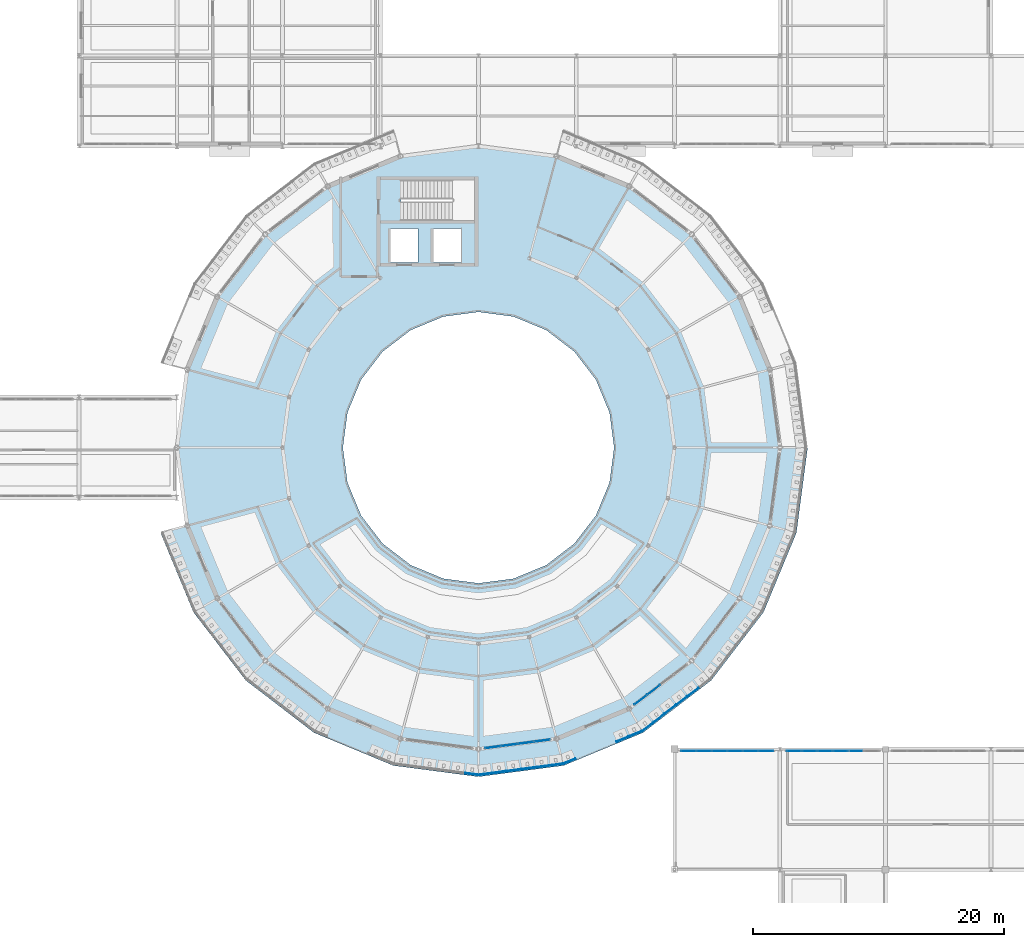
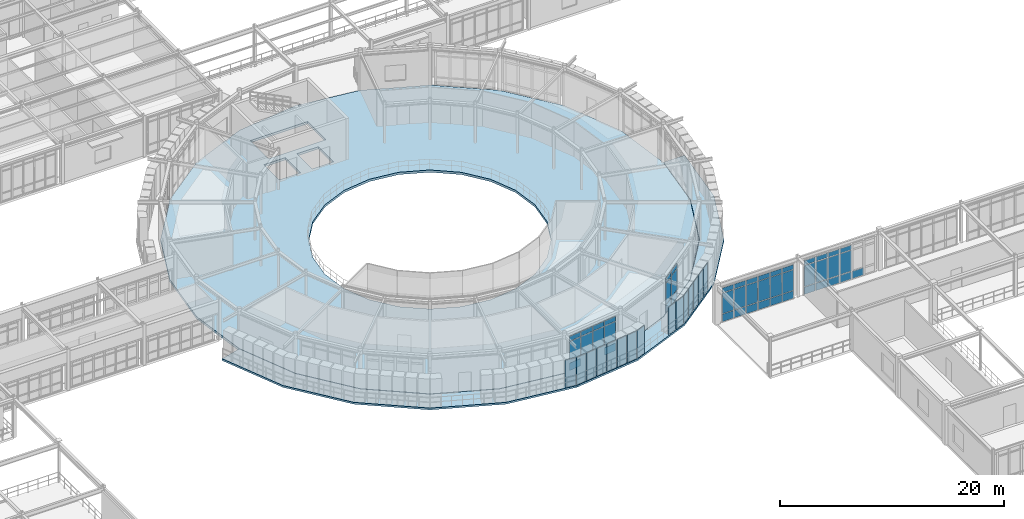
# One storey, part 69 of 106: 64 plates, 3 slabs, 4 elements without a shape of their own.
"""IFC4 building model written with IfcOpenShell, lengths in metres."""

import ifcopenshell
import ifcopenshell.guid

model = None  # the IFC model being written
_history = None  # IfcOwnerHistory: only IFC2X3 demands one
_inside = {}  # id of a spatial element -> (the spatial element, [elements in it])
_under = {}  # id of a project, library or spatial element -> (it, [spatial elements below it])
_declared = {}  # id of a project -> (the project, [libraries it declares])
_typed = {}  # id of a type object -> (the type object, [elements of that type])
_made_of = {}  # id of a material, layer set ... -> (it, [elements and type objects made of it])


def new_model(schema):
    """Start an empty IFC model of exactly this schema.

    Asked for "IFC4X3", IfcOpenShell would pick the latest addendum, in which some entities
    have other attributes; the version numbers below select the first issue.
    IFC2X3 requires an IfcOwnerHistory on every rooted entity: one is made here for all.
    """
    global model, _history
    if schema == "IFC4X3":
        model = ifcopenshell.file(schema_version=(4, 3, 0, 0))
    else:
        model = ifcopenshell.file(schema=schema)
    _inside.clear()
    _under.clear()
    _declared.clear()
    _typed.clear()
    _made_of.clear()
    _history = None
    if model.schema == "IFC2X3":
        org = make("IfcOrganization", Name="unknown")
        user = make(
            "IfcPersonAndOrganization",
            ThePerson=make("IfcPerson", FamilyName="unknown"),
            TheOrganization=org,
        )
        app = make(
            "IfcApplication",
            ApplicationDeveloper=org,
            Version="unknown",
            ApplicationFullName="unknown",
            ApplicationIdentifier="unknown",
        )
        _history = make(
            "IfcOwnerHistory",
            OwningUser=user,
            OwningApplication=app,
            ChangeAction="ADDED",
            CreationDate=0,
        )
    return model


def make(cls, **values):
    """One entity of the class cls with the attributes given. An attribute that is None is left unset."""
    return model.create_entity(
        cls, **{name: value for name, value in values.items() if value is not None}
    )


def rooted(cls, **values):
    """An entity with a GlobalId (a new one), such as an element, a storey or a relation."""
    return make(cls, GlobalId=ifcopenshell.guid.new(), OwnerHistory=_history, **values)


def si_unit(unit_type, name, prefix=None):
    """IfcSIUnit, for example si_unit("LENGTHUNIT", "METRE", prefix="MILLI")."""
    return make("IfcSIUnit", UnitType=unit_type, Prefix=prefix, Name=name)


def derived_unit(unit_type, elements):
    """IfcDerivedUnit: a product of units, each with its exponent."""
    return make(
        "IfcDerivedUnit",
        Elements=[
            make("IfcDerivedUnitElement", Unit=unit, Exponent=power)
            for unit, power in elements
        ],
        UnitType=unit_type,
    )


def assignment(units):
    """IfcUnitAssignment: the units of a project."""
    return None if units is None else make("IfcUnitAssignment", Units=units)


def point(xyz):
    """IfcCartesianPoint."""
    return None if xyz is None else make("IfcCartesianPoint", Coordinates=xyz)


def direction(xyz):
    """IfcDirection."""
    return None if xyz is None else make("IfcDirection", DirectionRatios=xyz)


def frame(location, z_axis=None, x_axis=None):
    """IfcAxis2Placement3D, a coordinate frame: its origin and axes. An axis left out is left unset."""
    return make(
        "IfcAxis2Placement3D",
        Location=point(location),
        Axis=direction(z_axis),
        RefDirection=direction(x_axis),
    )


def frame_2d(location, x_axis=None):
    """IfcAxis2Placement2D, a coordinate frame in the plane: its origin and x axis."""
    return make(
        "IfcAxis2Placement2D", Location=point(location), RefDirection=direction(x_axis)
    )


def origin():
    """The frame at (0, 0, 0) with its axes left unset."""
    return frame((0.0, 0.0, 0.0))


def origin_2d():
    """The frame at (0, 0) in the plane with its x axis left unset."""
    return frame_2d((0.0, 0.0))


def place(relative_to, where):
    """IfcLocalPlacement: puts the frame where relative to a parent placement (None: the world)."""
    return make(
        "IfcLocalPlacement", PlacementRelTo=relative_to, RelativePlacement=where
    )


def context(
    kind, dimensions, precision=None, world=None, true_north=None, identifier=None
):
    """IfcGeometricRepresentationContext, for example the 3D "Model" context."""
    return make(
        "IfcGeometricRepresentationContext",
        ContextIdentifier=identifier,
        ContextType=kind,
        CoordinateSpaceDimension=dimensions,
        Precision=precision,
        WorldCoordinateSystem=world,
        TrueNorth=true_north,
    )


def subcontext(parent, identifier, kind, view, scale=None):
    """IfcGeometricRepresentationSubContext, for example "Body" below "Model"."""
    return make(
        "IfcGeometricRepresentationSubContext",
        ContextIdentifier=identifier,
        ContextType=kind,
        ParentContext=parent,
        TargetScale=scale,
        TargetView=view,
    )


def project(units=None, contexts=None):
    """IfcProject with its units and contexts."""
    return rooted(
        "IfcProject",
        Name="project",
        RepresentationContexts=contexts,
        UnitsInContext=assignment(units),
    )


def spatial(cls, under=None, at=None, **own):
    """A site, building, storey or space (cls), placed at a placement, below another one or the project."""
    s = rooted(cls, ObjectPlacement=at, **own)
    if under is not None:
        _under.setdefault(under.id(), (under, []))[1].append(s)
    return s


def polyline(points):
    """IfcPolyline through the points."""
    return make("IfcPolyline", Points=[point(p) for p in points])


def profile(cls, at=None, kind="AREA", **sizes):
    """A parametric profile (cls). Its sizes go by their IFC names, for example OverallWidth=200.0."""
    return make(cls, ProfileType=kind, Position=at, **sizes)


def rectangle(**sizes):
    """IfcRectangleProfileDef."""
    return profile("IfcRectangleProfileDef", **sizes)


def outline(outer, holes=None, kind="AREA"):
    """IfcArbitraryClosedProfileDef: a profile drawn as a closed curve; with holes, ...WithVoids."""
    if holes is None:
        return make("IfcArbitraryClosedProfileDef", ProfileType=kind, OuterCurve=outer)
    return make(
        "IfcArbitraryProfileDefWithVoids",
        ProfileType=kind,
        OuterCurve=outer,
        InnerCurves=holes,
    )


def extrude(swept, where, along, depth):
    """IfcExtrudedAreaSolid: the profile swept, set in the frame where, extruded along a direction by depth."""
    return make(
        "IfcExtrudedAreaSolid",
        SweptArea=swept,
        Position=where,
        ExtrudedDirection=direction(along),
        Depth=depth,
    )


def shape(context_of_items, identifier, shape_type, items):
    """IfcShapeRepresentation: the items that make up one representation, for example the "Body"."""
    return make(
        "IfcShapeRepresentation",
        ContextOfItems=context_of_items,
        RepresentationIdentifier=identifier,
        RepresentationType=shape_type,
        Items=items,
    )


def material(Name=None, Category=None):
    """IfcMaterial."""
    return make("IfcMaterial", Name=Name, Category=Category)


def layer(
    of_material, thickness, ventilated=None, Name=None, Category=None, Priority=None
):
    """IfcMaterialLayer: one layer of a wall or slab, of a material (None: an air gap)."""
    return make(
        "IfcMaterialLayer",
        Material=of_material,
        LayerThickness=thickness,
        IsVentilated=ventilated,
        Name=Name,
        Category=Category,
        Priority=Priority,
    )


def layer_set(layers, Name=None):
    """IfcMaterialLayerSet."""
    return make("IfcMaterialLayerSet", MaterialLayers=layers, LayerSetName=Name)


def made_of(thing, what):
    """Note that an element or type object is made of a material, layer set ...; save() writes the relation."""
    if what is not None:
        _made_of.setdefault(what.id(), (what, []))[1].append(thing)
    return thing


def type_object(cls, material=None, **own):
    """A type object (cls), such as IfcWallType, which elements share."""
    return made_of(rooted(cls, **own), material)


def element(
    cls,
    number,
    at=None,
    inside=None,
    cuts=None,
    type_object=None,
    material=None,
    context=None,
    identifier="Body",
    shape_type=None,
    held_by="IfcProductDefinitionShape",
    body=None,
    shapes=None,
    **own,
):
    """One element of the class cls, such as IfcWall. Its Tag is "e" and its number.

    at: its placement. inside: the storey or other place that contains it. cuts: it is an
    opening in that element (IfcRelVoidsElement). A single representation is given by context,
    identifier, shape_type and body (its items); several are given by shapes. held_by: the class
    of the entity that holds the representations. save() writes the other relations.
    """
    e = rooted(cls, Tag="e%d" % number, ObjectPlacement=at, **own)
    if body is not None:
        shapes = [shape(context, identifier, shape_type, body)]
    if shapes is not None:
        e.Representation = make(held_by, Representations=shapes)
    if inside is not None:
        _inside.setdefault(inside.id(), (inside, []))[1].append(e)
    if cuts is not None:
        rooted(
            "IfcRelVoidsElement", RelatingBuildingElement=cuts, RelatedOpeningElement=e
        )
    if type_object is not None:
        _typed.setdefault(type_object.id(), (type_object, []))[1].append(e)
    return made_of(e, material)


def aggregate(whole, parts):
    """IfcRelAggregates: a whole, such as a stair, and the parts it consists of."""
    return rooted("IfcRelAggregates", RelatingObject=whole, RelatedObjects=parts)


def save(model, path):
    """Write the relations noted so far, then the file.

    IfcRelAggregates (storeys below a building ...), IfcRelContainedInSpatialStructure (elements
    in a storey), IfcRelDefinesByType, IfcRelAssociatesMaterial and IfcRelDeclares: one each for
    every whole, place, type object, material and project.
    """
    for whole, parts in _under.values():
        aggregate(whole, parts)
    for where, things in _inside.values():
        rooted(
            "IfcRelContainedInSpatialStructure",
            RelatedElements=things,
            RelatingStructure=where,
        )
    for kind, things in _typed.values():
        rooted("IfcRelDefinesByType", RelatedObjects=things, RelatingType=kind)
    for what, things in _made_of.values():
        rooted("IfcRelAssociatesMaterial", RelatedObjects=things, RelatingMaterial=what)
    for by, libraries in _declared.values():
        rooted("IfcRelDeclares", RelatingContext=by, RelatedDefinitions=libraries)
    model.write(path)


model = new_model("IFC4")

# Units and contexts
model_context = context("Model", 3, precision=1e-05, world=origin(), true_north=direction((0.0, 1.0)))
body_context = subcontext(model_context, "Body", "Model", "MODEL_VIEW")
ifc_project = project(units=[si_unit("LENGTHUNIT", "METRE"), si_unit("AREAUNIT", "SQUARE_METRE"), si_unit("VOLUMEUNIT", "CUBIC_METRE"), si_unit("PLANEANGLEUNIT", "RADIAN"), si_unit("MASSUNIT", "GRAM", prefix="KILO"), derived_unit("THERMALTRANSMITTANCEUNIT", [(si_unit("POWERUNIT", "WATT"), 1), (si_unit("AREAUNIT", "SQUARE_METRE"), -1), (si_unit("THERMODYNAMICTEMPERATUREUNIT", "KELVIN"), -1)])], contexts=[model_context])

# Site, building, storey
site_placement = place(None, origin())
site = spatial("IfcSite", under=ifc_project, at=site_placement, CompositionType="ELEMENT")
building_placement = place(site_placement, origin())
building = spatial("IfcBuilding", under=site, at=building_placement, Name="Yasenodar Specialist Clinic", CompositionType="ELEMENT")
storey_placement = place(building_placement, frame((0.0, 0.0, 4.5)))
storey = spatial("IfcBuildingStorey", under=building, at=storey_placement, Name="L01", CompositionType="ELEMENT", Elevation=4.5)

# Curtain wall, plates
ifc_material_1 = material(Name="Bronze Anodized Aluminium and Triple Low-E Glass", Category="aluminium")
ifc_layer_1 = layer(ifc_material_1, 0.1669921875)
ifc_layer_set_1 = layer_set([ifc_layer_1], Name="Bronze Anodized Aluminium and Triple Low-E Glass")
curtain_wall_type_1 = type_object("IfcCurtainWallType", Name="CW-SYS-01", PredefinedType="USERDEFINED", material=ifc_layer_set_1)
curtain_wall_1_placement = place(storey_placement, origin())
curtain_wall_1 = element("IfcCurtainWall", 1, at=curtain_wall_1_placement, inside=storey, type_object=curtain_wall_type_1, Name="L01 Unitised Curtain Wall 022", ObjectType="UNITISED CURTAIN WALL", PredefinedType="USERDEFINED")
ifc_material_2 = material(Name="Triple Low-E Argon Glazing", Category="glass")
ifc_layer_2 = layer(ifc_material_2, 0.0400390625)
ifc_layer_set_2 = layer_set([ifc_layer_2], Name="Triple Low-E Argon Glazing")
plate_type_1 = type_object("IfcPlateType", Name="CW-PAN-3", PredefinedType="CURTAIN_PANEL", material=ifc_layer_set_2)
plate_1_placement = place(storey_placement, frame((86.0634765625, 35.466552734375, 0.06005859375), z_axis=(0.0, 0.0, 1.0), x_axis=(-0.991446787601, -0.13051156024, 0.0)))
plate_1 = element("IfcPlate", 2, at=plate_1_placement, type_object=plate_type_1, Name="CW-01 panel 1.1", PredefinedType="CURTAIN_PANEL", context=body_context, shape_type="SweptSolid", body=[
    extrude(rectangle(XDim=1.236328125, YDim=0.0400390625, at=origin_2d()), origin(), (0.0, 0.0, 1.0), 0.81005859375),
])
plate_2_placement = place(storey_placement, frame((86.0634765625, 35.466552734375, 0.93017578125), z_axis=(0.0, 0.0, 1.0), x_axis=(-0.991446787601, -0.13051156024, 0.0)))
plate_2 = element("IfcPlate", 3, at=plate_2_placement, type_object=plate_type_1, Name="CW-01 panel 1.2", PredefinedType="CURTAIN_PANEL", context=body_context, shape_type="SweptSolid", body=[
    extrude(rectangle(XDim=1.236328125, YDim=0.0400390625, at=origin_2d()), origin(), (0.0, 0.0, 1.0), 2.278076171875),
])
plate_3_placement = place(storey_placement, frame((86.0634765625, 35.466552734375, 3.26806640625), z_axis=(0.0, 0.0, 1.0), x_axis=(-0.991446787601, -0.13051156024, 0.0)))
plate_3 = element("IfcPlate", 4, at=plate_3_placement, type_object=plate_type_1, Name="CW-01 panel 1.3", PredefinedType="CURTAIN_PANEL", context=body_context, shape_type="SweptSolid", body=[
    extrude(rectangle(XDim=1.236328125, YDim=0.0400390625, at=origin_2d()), origin(), (0.0, 0.0, 1.0), 0.510009765625),
])
plate_4_placement = place(storey_placement, frame((84.763427734375, 35.29541015625, 0.06005859375), z_axis=(0.0, 0.0, 1.0), x_axis=(-0.991446787601, -0.13051156024, 0.0)))
plate_4 = element("IfcPlate", 5, at=plate_4_placement, type_object=plate_type_1, Name="CW-01 panel 2.1", PredefinedType="CURTAIN_PANEL", context=body_context, shape_type="SweptSolid", body=[
    extrude(rectangle(XDim=1.266357421875, YDim=0.0400390625, at=origin_2d()), origin(), (0.0, 0.0, 1.0), 0.81005859375),
])
plate_5_placement = place(storey_placement, frame((84.763427734375, 35.29541015625, 0.93017578125), z_axis=(0.0, 0.0, 1.0), x_axis=(-0.991446787601, -0.13051156024, 0.0)))
plate_5 = element("IfcPlate", 6, at=plate_5_placement, type_object=plate_type_1, Name="CW-01 panel 2.2", PredefinedType="CURTAIN_PANEL", context=body_context, shape_type="SweptSolid", body=[
    extrude(rectangle(XDim=1.266357421875, YDim=0.0400390625, at=origin_2d()), origin(), (0.0, 0.0, 1.0), 2.278076171875),
])
plate_6_placement = place(storey_placement, frame((84.763427734375, 35.29541015625, 3.26806640625), z_axis=(0.0, 0.0, 1.0), x_axis=(-0.991446787601, -0.13051156024, 0.0)))
plate_6 = element("IfcPlate", 7, at=plate_6_placement, type_object=plate_type_1, Name="CW-01 panel 2.3", PredefinedType="CURTAIN_PANEL", context=body_context, shape_type="SweptSolid", body=[
    extrude(rectangle(XDim=1.266357421875, YDim=0.0400390625, at=origin_2d()), origin(), (0.0, 0.0, 1.0), 0.510009765625),
])
plate_7_placement = place(storey_placement, frame((83.4482421875, 35.122314453125, 0.06005859375), z_axis=(0.0, 0.0, 1.0), x_axis=(-0.991446787601, -0.13051156024, 0.0)))
plate_7 = element("IfcPlate", 8, at=plate_7_placement, type_object=plate_type_1, Name="CW-01 panel 3.1", PredefinedType="CURTAIN_PANEL", context=body_context, shape_type="SweptSolid", body=[
    extrude(rectangle(XDim=1.266357421875, YDim=0.0400390625, at=origin_2d()), origin(), (0.0, 0.0, 1.0), 0.81005859375),
])
plate_8_placement = place(storey_placement, frame((83.4482421875, 35.122314453125, 0.93017578125), z_axis=(0.0, 0.0, 1.0), x_axis=(-0.991446787601, -0.13051156024, 0.0)))
plate_8 = element("IfcPlate", 9, at=plate_8_placement, type_object=plate_type_1, Name="CW-01 panel 3.2", PredefinedType="CURTAIN_PANEL", context=body_context, shape_type="SweptSolid", body=[
    extrude(rectangle(XDim=1.266357421875, YDim=0.0400390625, at=origin_2d()), origin(), (0.0, 0.0, 1.0), 2.278076171875),
])
plate_9_placement = place(storey_placement, frame((83.4482421875, 35.122314453125, 3.26806640625), z_axis=(0.0, 0.0, 1.0), x_axis=(-0.991446787601, -0.13051156024, 0.0)))
plate_9 = element("IfcPlate", 10, at=plate_9_placement, type_object=plate_type_1, Name="CW-01 panel 3.3", PredefinedType="CURTAIN_PANEL", context=body_context, shape_type="SweptSolid", body=[
    extrude(rectangle(XDim=1.266357421875, YDim=0.0400390625, at=origin_2d()), origin(), (0.0, 0.0, 1.0), 0.510009765625),
])
plate_10_placement = place(storey_placement, frame((82.148193359375, 34.951171875, 0.06005859375), z_axis=(0.0, 0.0, 1.0), x_axis=(-0.991446787601, -0.13051156024, 0.0)))
plate_10 = element("IfcPlate", 11, at=plate_10_placement, type_object=plate_type_1, Name="CW-01 panel 4.1", PredefinedType="CURTAIN_PANEL", context=body_context, shape_type="SweptSolid", body=[
    extrude(rectangle(XDim=1.236328125, YDim=0.0400390625, at=origin_2d()), origin(), (0.0, 0.0, 1.0), 0.81005859375),
])
plate_11_placement = place(storey_placement, frame((82.148193359375, 34.951171875, 0.93017578125), z_axis=(0.0, 0.0, 1.0), x_axis=(-0.991446787601, -0.13051156024, 0.0)))
plate_11 = element("IfcPlate", 12, at=plate_11_placement, type_object=plate_type_1, Name="CW-01 panel 4.2", PredefinedType="CURTAIN_PANEL", context=body_context, shape_type="SweptSolid", body=[
    extrude(rectangle(XDim=1.236328125, YDim=0.0400390625, at=origin_2d()), origin(), (0.0, 0.0, 1.0), 2.278076171875),
])
plate_12_placement = place(storey_placement, frame((82.148193359375, 34.951171875, 3.26806640625), z_axis=(0.0, 0.0, 1.0), x_axis=(-0.991446787601, -0.13051156024, 0.0)))
plate_12 = element("IfcPlate", 13, at=plate_12_placement, type_object=plate_type_1, Name="CW-01 panel 4.3", PredefinedType="CURTAIN_PANEL", context=body_context, shape_type="SweptSolid", body=[
    extrude(rectangle(XDim=1.236328125, YDim=0.0400390625, at=origin_2d()), origin(), (0.0, 0.0, 1.0), 0.510009765625),
])
aggregate(curtain_wall_1, [plate_1, plate_2, plate_3, plate_4, plate_5, plate_6, plate_7, plate_8, plate_9, plate_10, plate_11, plate_12])

ifc_layer_3 = layer(ifc_material_1, 0.178955078125)
ifc_layer_set_3 = layer_set([ifc_layer_3], Name="Bronze Anodized Aluminium and Triple Low-E Glass")
curtain_wall_type_2 = type_object("IfcCurtainWallType", Name="CW-SYS-02", PredefinedType="USERDEFINED", material=ifc_layer_set_3)
curtain_wall_2_placement = place(storey_placement, origin())
curtain_wall_2 = element("IfcCurtainWall", 14, at=curtain_wall_2_placement, inside=storey, type_object=curtain_wall_type_2, Name="L01 Unitised Curtain Wall 094", ObjectType="UNITISED CURTAIN WALL", PredefinedType="USERDEFINED")
plate_13_placement = place(storey_placement, frame((97.715087890625, 34.64990234375, 0.06005859375), z_axis=(0.0, 0.0, 1.0), x_axis=(1.0, 0.0, 0.0)))
plate_13 = element("IfcPlate", 15, at=plate_13_placement, type_object=plate_type_1, Name="CW-02 panel 1.1", PredefinedType="CURTAIN_PANEL", context=body_context, shape_type="SweptSolid", body=[
    extrude(rectangle(XDim=1.14990234375, YDim=0.0400390625, at=origin_2d()), origin(), (0.0, 0.0, 1.0), 0.81005859375),
])
plate_14_placement = place(storey_placement, frame((97.715087890625, 34.64990234375, 0.93017578125), z_axis=(0.0, 0.0, 1.0), x_axis=(1.0, 0.0, 0.0)))
plate_14 = element("IfcPlate", 16, at=plate_14_placement, type_object=plate_type_1, Name="CW-02 panel 1.2", PredefinedType="CURTAIN_PANEL", context=body_context, shape_type="SweptSolid", body=[
    extrude(rectangle(XDim=1.14990234375, YDim=0.0400390625, at=origin_2d()), origin(), (0.0, 0.0, 1.0), 2.218017578125),
])
plate_15_placement = place(storey_placement, frame((97.715087890625, 34.64990234375, 3.2080078125), z_axis=(0.0, 0.0, 1.0), x_axis=(1.0, 0.0, 0.0)))
plate_15 = element("IfcPlate", 17, at=plate_15_placement, type_object=plate_type_1, Name="CW-02 panel 1.3", PredefinedType="CURTAIN_PANEL", context=body_context, shape_type="SweptSolid", body=[
    extrude(rectangle(XDim=1.14990234375, YDim=0.0400390625, at=origin_2d()), origin(), (0.0, 0.0, 1.0), 0.510009765625),
])
plate_16_placement = place(storey_placement, frame((98.93994140625, 34.64990234375, 0.06005859375), z_axis=(0.0, 0.0, 1.0), x_axis=(1.0, 0.0, 0.0)))
plate_16 = element("IfcPlate", 18, at=plate_16_placement, type_object=plate_type_1, Name="CW-02 panel 2.1", PredefinedType="CURTAIN_PANEL", context=body_context, shape_type="SweptSolid", body=[
    extrude(rectangle(XDim=1.179931640625, YDim=0.0400390625, at=origin_2d()), origin(), (0.0, 0.0, 1.0), 0.81005859375),
])
plate_17_placement = place(storey_placement, frame((98.93994140625, 34.64990234375, 0.93017578125), z_axis=(0.0, 0.0, 1.0), x_axis=(1.0, 0.0, 0.0)))
plate_17 = element("IfcPlate", 19, at=plate_17_placement, type_object=plate_type_1, Name="CW-02 panel 2.2", PredefinedType="CURTAIN_PANEL", context=body_context, shape_type="SweptSolid", body=[
    extrude(rectangle(XDim=1.179931640625, YDim=0.0400390625, at=origin_2d()), origin(), (0.0, 0.0, 1.0), 2.218017578125),
])
plate_18_placement = place(storey_placement, frame((98.93994140625, 34.64990234375, 3.2080078125), z_axis=(0.0, 0.0, 1.0), x_axis=(1.0, 0.0, 0.0)))
plate_18 = element("IfcPlate", 20, at=plate_18_placement, type_object=plate_type_1, Name="CW-02 panel 2.3", PredefinedType="CURTAIN_PANEL", context=body_context, shape_type="SweptSolid", body=[
    extrude(rectangle(XDim=1.179931640625, YDim=0.0400390625, at=origin_2d()), origin(), (0.0, 0.0, 1.0), 0.510009765625),
])
plate_19_placement = place(storey_placement, frame((100.179931640625, 34.64990234375, 0.06005859375), z_axis=(0.0, 0.0, 1.0), x_axis=(1.0, 0.0, 0.0)))
plate_19 = element("IfcPlate", 21, at=plate_19_placement, type_object=plate_type_1, Name="CW-02 panel 3.1", PredefinedType="CURTAIN_PANEL", context=body_context, shape_type="SweptSolid", body=[
    extrude(rectangle(XDim=1.179931640625, YDim=0.0400390625, at=origin_2d()), origin(), (0.0, 0.0, 1.0), 0.81005859375),
])
plate_20_placement = place(storey_placement, frame((100.179931640625, 34.64990234375, 0.93017578125), z_axis=(0.0, 0.0, 1.0), x_axis=(1.0, 0.0, 0.0)))
plate_20 = element("IfcPlate", 22, at=plate_20_placement, type_object=plate_type_1, Name="CW-02 panel 3.2", PredefinedType="CURTAIN_PANEL", context=body_context, shape_type="SweptSolid", body=[
    extrude(rectangle(XDim=1.179931640625, YDim=0.0400390625, at=origin_2d()), origin(), (0.0, 0.0, 1.0), 2.218017578125),
])
plate_21_placement = place(storey_placement, frame((100.179931640625, 34.64990234375, 3.2080078125), z_axis=(0.0, 0.0, 1.0), x_axis=(1.0, 0.0, 0.0)))
plate_21 = element("IfcPlate", 23, at=plate_21_placement, type_object=plate_type_1, Name="CW-02 panel 3.3", PredefinedType="CURTAIN_PANEL", context=body_context, shape_type="SweptSolid", body=[
    extrude(rectangle(XDim=1.179931640625, YDim=0.0400390625, at=origin_2d()), origin(), (0.0, 0.0, 1.0), 0.510009765625),
])
plate_22_placement = place(storey_placement, frame((101.419921875, 34.64990234375, 0.06005859375), z_axis=(0.0, 0.0, 1.0), x_axis=(1.0, 0.0, 0.0)))
plate_22 = element("IfcPlate", 24, at=plate_22_placement, type_object=plate_type_1, Name="CW-02 panel 4.1", PredefinedType="CURTAIN_PANEL", context=body_context, shape_type="SweptSolid", body=[
    extrude(rectangle(XDim=1.179931640625, YDim=0.0400390625, at=origin_2d()), origin(), (0.0, 0.0, 1.0), 0.81005859375),
])
plate_23_placement = place(storey_placement, frame((101.419921875, 34.64990234375, 0.93017578125), z_axis=(0.0, 0.0, 1.0), x_axis=(1.0, 0.0, 0.0)))
plate_23 = element("IfcPlate", 25, at=plate_23_placement, type_object=plate_type_1, Name="CW-02 panel 4.2", PredefinedType="CURTAIN_PANEL", context=body_context, shape_type="SweptSolid", body=[
    extrude(rectangle(XDim=1.179931640625, YDim=0.0400390625, at=origin_2d()), origin(), (0.0, 0.0, 1.0), 2.218017578125),
])
plate_24_placement = place(storey_placement, frame((101.419921875, 34.64990234375, 3.2080078125), z_axis=(0.0, 0.0, 1.0), x_axis=(1.0, 0.0, 0.0)))
plate_24 = element("IfcPlate", 26, at=plate_24_placement, type_object=plate_type_1, Name="CW-02 panel 4.3", PredefinedType="CURTAIN_PANEL", context=body_context, shape_type="SweptSolid", body=[
    extrude(rectangle(XDim=1.179931640625, YDim=0.0400390625, at=origin_2d()), origin(), (0.0, 0.0, 1.0), 0.510009765625),
])
plate_25_placement = place(storey_placement, frame((102.659912109375, 34.64990234375, 0.06005859375), z_axis=(0.0, 0.0, 1.0), x_axis=(1.0, 0.0, 0.0)))
plate_25 = element("IfcPlate", 27, at=plate_25_placement, type_object=plate_type_1, Name="CW-02 panel 5.1", PredefinedType="CURTAIN_PANEL", context=body_context, shape_type="SweptSolid", body=[
    extrude(rectangle(XDim=1.179931640625, YDim=0.0400390625, at=origin_2d()), origin(), (0.0, 0.0, 1.0), 0.81005859375),
])
plate_26_placement = place(storey_placement, frame((102.659912109375, 34.64990234375, 0.93017578125), z_axis=(0.0, 0.0, 1.0), x_axis=(1.0, 0.0, 0.0)))
plate_26 = element("IfcPlate", 28, at=plate_26_placement, type_object=plate_type_1, Name="CW-02 panel 5.2", PredefinedType="CURTAIN_PANEL", context=body_context, shape_type="SweptSolid", body=[
    extrude(rectangle(XDim=1.179931640625, YDim=0.0400390625, at=origin_2d()), origin(), (0.0, 0.0, 1.0), 2.218017578125),
])
plate_27_placement = place(storey_placement, frame((102.659912109375, 34.64990234375, 3.2080078125), z_axis=(0.0, 0.0, 1.0), x_axis=(1.0, 0.0, 0.0)))
plate_27 = element("IfcPlate", 29, at=plate_27_placement, type_object=plate_type_1, Name="CW-02 panel 5.3", PredefinedType="CURTAIN_PANEL", context=body_context, shape_type="SweptSolid", body=[
    extrude(rectangle(XDim=1.179931640625, YDim=0.0400390625, at=origin_2d()), origin(), (0.0, 0.0, 1.0), 0.510009765625),
])
plate_28_placement = place(storey_placement, frame((103.885009765625, 34.64990234375, 0.06005859375), z_axis=(0.0, 0.0, 1.0), x_axis=(1.0, 0.0, 0.0)))
plate_28 = element("IfcPlate", 30, at=plate_28_placement, type_object=plate_type_1, Name="CW-02 panel 6.1", PredefinedType="CURTAIN_PANEL", context=body_context, shape_type="SweptSolid", body=[
    extrude(rectangle(XDim=1.14990234375, YDim=0.0400390625, at=origin_2d()), origin(), (0.0, 0.0, 1.0), 0.81005859375),
])
plate_29_placement = place(storey_placement, frame((103.885009765625, 34.64990234375, 0.93017578125), z_axis=(0.0, 0.0, 1.0), x_axis=(1.0, 0.0, 0.0)))
plate_29 = element("IfcPlate", 31, at=plate_29_placement, type_object=plate_type_1, Name="CW-02 panel 6.2", PredefinedType="CURTAIN_PANEL", context=body_context, shape_type="SweptSolid", body=[
    extrude(rectangle(XDim=1.14990234375, YDim=0.0400390625, at=origin_2d()), origin(), (0.0, 0.0, 1.0), 2.218017578125),
])
plate_30_placement = place(storey_placement, frame((103.885009765625, 34.64990234375, 3.2080078125), z_axis=(0.0, 0.0, 1.0), x_axis=(1.0, 0.0, 0.0)))
plate_30 = element("IfcPlate", 32, at=plate_30_placement, type_object=plate_type_1, Name="CW-02 panel 6.3", PredefinedType="CURTAIN_PANEL", context=body_context, shape_type="SweptSolid", body=[
    extrude(rectangle(XDim=1.14990234375, YDim=0.0400390625, at=origin_2d()), origin(), (0.0, 0.0, 1.0), 0.510009765625),
])
aggregate(curtain_wall_2, [plate_13, plate_14, plate_15, plate_16, plate_17, plate_18, plate_19, plate_20, plate_21, plate_22, plate_23, plate_24, plate_25, plate_26, plate_27, plate_28, plate_29, plate_30])

curtain_wall_3_placement = place(storey_placement, origin())
curtain_wall_3 = element("IfcCurtainWall", 33, at=curtain_wall_3_placement, inside=storey, type_object=curtain_wall_type_1, Name="L01 Unitised Curtain Wall 023", ObjectType="UNITISED CURTAIN WALL", PredefinedType="USERDEFINED")
ifc_layer_4 = layer(ifc_material_2, 0.0458984375)
ifc_layer_set_4 = layer_set([ifc_layer_4], Name="Triple Low-E Argon Glazing")
plate_type_2 = type_object("IfcPlateType", Name="CW-PAN-4", PredefinedType="CURTAIN_PANEL", material=ifc_layer_set_4)
plate_31_placement = place(storey_placement, frame((94.959228515625, 39.518798828125, 0.06005859375), z_axis=(0.0, 0.0, 1.0), x_axis=(-0.793360558574, -0.608752021844, 0.0)))
plate_31 = element("IfcPlate", 34, at=plate_31_placement, type_object=plate_type_2, Name="CW-01 panel 3.1", PredefinedType="CURTAIN_PANEL", context=body_context, shape_type="SweptSolid", body=[
    extrude(rectangle(XDim=1.266357421875, YDim=0.0458984375, at=origin_2d()), origin(), (0.0, 0.0, 1.0), 0.81005859375),
])
plate_32_placement = place(storey_placement, frame((94.959228515625, 39.518798828125, 0.93017578125), z_axis=(0.0, 0.0, 1.0), x_axis=(-0.793360558574, -0.608752021844, 0.0)))
plate_32 = element("IfcPlate", 35, at=plate_32_placement, type_object=plate_type_2, Name="CW-01 panel 3.2", PredefinedType="CURTAIN_PANEL", context=body_context, shape_type="SweptSolid", body=[
    extrude(rectangle(XDim=1.266357421875, YDim=0.0458984375, at=origin_2d()), origin(), (0.0, 0.0, 1.0), 2.278076171875),
])
plate_33_placement = place(storey_placement, frame((94.959228515625, 39.518798828125, 3.26806640625), z_axis=(0.0, 0.0, 1.0), x_axis=(-0.793360558574, -0.608752021844, 0.0)))
plate_33 = element("IfcPlate", 36, at=plate_33_placement, type_object=plate_type_2, Name="CW-01 panel 3.3", PredefinedType="CURTAIN_PANEL", context=body_context, shape_type="SweptSolid", body=[
    extrude(rectangle(XDim=1.266357421875, YDim=0.0458984375, at=origin_2d()), origin(), (0.0, 0.0, 1.0), 0.510009765625),
])
plate_34_placement = place(storey_placement, frame((93.9189453125, 38.720458984375, 0.06005859375), z_axis=(0.0, 0.0, 1.0), x_axis=(-0.793360558574, -0.608752021844, 0.0)))
plate_34 = element("IfcPlate", 37, at=plate_34_placement, type_object=plate_type_2, Name="CW-01 panel 4.1", PredefinedType="CURTAIN_PANEL", context=body_context, shape_type="SweptSolid", body=[
    extrude(rectangle(XDim=1.236328125, YDim=0.0458984375, at=origin_2d()), origin(), (0.0, 0.0, 1.0), 0.81005859375),
])
plate_35_placement = place(storey_placement, frame((93.9189453125, 38.720458984375, 0.93017578125), z_axis=(0.0, 0.0, 1.0), x_axis=(-0.793360558574, -0.608752021844, 0.0)))
plate_35 = element("IfcPlate", 38, at=plate_35_placement, type_object=plate_type_2, Name="CW-01 panel 4.2", PredefinedType="CURTAIN_PANEL", context=body_context, shape_type="SweptSolid", body=[
    extrude(rectangle(XDim=1.236328125, YDim=0.0458984375, at=origin_2d()), origin(), (0.0, 0.0, 1.0), 2.278076171875),
])
plate_36_placement = place(storey_placement, frame((93.9189453125, 38.720458984375, 3.26806640625), z_axis=(0.0, 0.0, 1.0), x_axis=(-0.793360558574, -0.608752021844, 0.0)))
plate_36 = element("IfcPlate", 39, at=plate_36_placement, type_object=plate_type_2, Name="CW-01 panel 4.3", PredefinedType="CURTAIN_PANEL", context=body_context, shape_type="SweptSolid", body=[
    extrude(rectangle(XDim=1.236328125, YDim=0.0458984375, at=origin_2d()), origin(), (0.0, 0.0, 1.0), 0.510009765625),
])
aggregate(curtain_wall_3, [plate_31, plate_32, plate_33, plate_34, plate_35, plate_36])

curtain_wall_4_placement = place(storey_placement, origin())
curtain_wall_4 = element("IfcCurtainWall", 40, at=curtain_wall_4_placement, inside=storey, type_object=curtain_wall_type_2, Name="L01 Unitised Curtain Wall 095", ObjectType="UNITISED CURTAIN WALL", PredefinedType="USERDEFINED")
plate_37_placement = place(storey_placement, frame((106.11865234375, 34.64990234375, 0.074951171875), z_axis=(0.0, 0.0, 1.0), x_axis=(1.0, 0.0, 0.0)))
plate_37 = element("IfcPlate", 41, at=plate_37_placement, type_object=plate_type_2, Name="CW-02 panel 1.1", PredefinedType="CURTAIN_PANEL", context=body_context, shape_type="SweptSolid", body=[
    extrude(rectangle(XDim=1.12744140625, YDim=0.0458984375, at=origin_2d()), origin(), (0.0, 0.0, 1.0), 0.78759765625),
])
plate_38_placement = place(storey_placement, frame((106.11865234375, 34.64990234375, 0.9375), z_axis=(0.0, 0.0, 1.0), x_axis=(1.0, 0.0, 0.0)))
plate_38 = element("IfcPlate", 42, at=plate_38_placement, type_object=plate_type_2, Name="CW-02 panel 1.2", PredefinedType="CURTAIN_PANEL", context=body_context, shape_type="SweptSolid", body=[
    extrude(rectangle(XDim=1.12744140625, YDim=0.0458984375, at=origin_2d()), origin(), (0.0, 0.0, 1.0), 2.2529296875),
])
plate_39_placement = place(storey_placement, frame((106.11865234375, 34.64990234375, 3.265625), z_axis=(0.0, 0.0, 1.0), x_axis=(1.0, 0.0, 0.0)))
plate_39 = element("IfcPlate", 43, at=plate_39_placement, type_object=plate_type_2, Name="CW-02 panel 1.3", PredefinedType="CURTAIN_PANEL", context=body_context, shape_type="SweptSolid", body=[
    extrude(rectangle(XDim=1.12744140625, YDim=0.0458984375, at=origin_2d()), origin(), (0.0, 0.0, 1.0), 0.487548828125),
])
plate_40_placement = place(storey_placement, frame((107.340087890625, 34.64990234375, 0.074951171875), z_axis=(0.0, 0.0, 1.0), x_axis=(1.0, 0.0, 0.0)))
plate_40 = element("IfcPlate", 44, at=plate_40_placement, type_object=plate_type_2, Name="CW-02 panel 2.1", PredefinedType="CURTAIN_PANEL", context=body_context, shape_type="SweptSolid", body=[
    extrude(rectangle(XDim=1.1650390625, YDim=0.0458984375, at=origin_2d()), origin(), (0.0, 0.0, 1.0), 0.78759765625),
])
plate_41_placement = place(storey_placement, frame((107.340087890625, 34.64990234375, 0.9375), z_axis=(0.0, 0.0, 1.0), x_axis=(1.0, 0.0, 0.0)))
plate_41 = element("IfcPlate", 45, at=plate_41_placement, type_object=plate_type_2, Name="CW-02 panel 2.2", PredefinedType="CURTAIN_PANEL", context=body_context, shape_type="SweptSolid", body=[
    extrude(rectangle(XDim=1.1650390625, YDim=0.0458984375, at=origin_2d()), origin(), (0.0, 0.0, 1.0), 2.2529296875),
])
plate_42_placement = place(storey_placement, frame((107.340087890625, 34.64990234375, 3.265625), z_axis=(0.0, 0.0, 1.0), x_axis=(1.0, 0.0, 0.0)))
plate_42 = element("IfcPlate", 46, at=plate_42_placement, type_object=plate_type_2, Name="CW-02 panel 2.3", PredefinedType="CURTAIN_PANEL", context=body_context, shape_type="SweptSolid", body=[
    extrude(rectangle(XDim=1.1650390625, YDim=0.0458984375, at=origin_2d()), origin(), (0.0, 0.0, 1.0), 0.487548828125),
])
plate_43_placement = place(storey_placement, frame((108.580078125, 34.64990234375, 0.074951171875), z_axis=(0.0, 0.0, 1.0), x_axis=(1.0, 0.0, 0.0)))
plate_43 = element("IfcPlate", 47, at=plate_43_placement, type_object=plate_type_2, Name="CW-02 panel 3.1", PredefinedType="CURTAIN_PANEL", context=body_context, shape_type="SweptSolid", body=[
    extrude(rectangle(XDim=1.1650390625, YDim=0.0458984375, at=origin_2d()), origin(), (0.0, 0.0, 1.0), 0.78759765625),
])
plate_44_placement = place(storey_placement, frame((108.580078125, 34.64990234375, 0.9375), z_axis=(0.0, 0.0, 1.0), x_axis=(1.0, 0.0, 0.0)))
plate_44 = element("IfcPlate", 48, at=plate_44_placement, type_object=plate_type_2, Name="CW-02 panel 3.2", PredefinedType="CURTAIN_PANEL", context=body_context, shape_type="SweptSolid", body=[
    extrude(rectangle(XDim=1.1650390625, YDim=0.0458984375, at=origin_2d()), origin(), (0.0, 0.0, 1.0), 2.2529296875),
])
plate_45_placement = place(storey_placement, frame((108.580078125, 34.64990234375, 3.265625), z_axis=(0.0, 0.0, 1.0), x_axis=(1.0, 0.0, 0.0)))
plate_45 = element("IfcPlate", 49, at=plate_45_placement, type_object=plate_type_2, Name="CW-02 panel 3.3", PredefinedType="CURTAIN_PANEL", context=body_context, shape_type="SweptSolid", body=[
    extrude(rectangle(XDim=1.1650390625, YDim=0.0458984375, at=origin_2d()), origin(), (0.0, 0.0, 1.0), 0.487548828125),
])
plate_46_placement = place(storey_placement, frame((109.820068359375, 34.64990234375, 0.074951171875), z_axis=(0.0, 0.0, 1.0), x_axis=(1.0, 0.0, 0.0)))
plate_46 = element("IfcPlate", 50, at=plate_46_placement, type_object=plate_type_2, Name="CW-02 panel 4.1", PredefinedType="CURTAIN_PANEL", context=body_context, shape_type="SweptSolid", body=[
    extrude(rectangle(XDim=1.1650390625, YDim=0.0458984375, at=origin_2d()), origin(), (0.0, 0.0, 1.0), 0.78759765625),
])
plate_47_placement = place(storey_placement, frame((109.820068359375, 34.64990234375, 0.9375), z_axis=(0.0, 0.0, 1.0), x_axis=(1.0, 0.0, 0.0)))
plate_47 = element("IfcPlate", 51, at=plate_47_placement, type_object=plate_type_2, Name="CW-02 panel 4.2", PredefinedType="CURTAIN_PANEL", context=body_context, shape_type="SweptSolid", body=[
    extrude(rectangle(XDim=1.1650390625, YDim=0.0458984375, at=origin_2d()), origin(), (0.0, 0.0, 1.0), 2.2529296875),
])
plate_48_placement = place(storey_placement, frame((109.820068359375, 34.64990234375, 3.265625), z_axis=(0.0, 0.0, 1.0), x_axis=(1.0, 0.0, 0.0)))
plate_48 = element("IfcPlate", 52, at=plate_48_placement, type_object=plate_type_2, Name="CW-02 panel 4.3", PredefinedType="CURTAIN_PANEL", context=body_context, shape_type="SweptSolid", body=[
    extrude(rectangle(XDim=1.1650390625, YDim=0.0458984375, at=origin_2d()), origin(), (0.0, 0.0, 1.0), 0.487548828125),
])
plate_49_placement = place(storey_placement, frame((111.06005859375, 34.64990234375, 0.074951171875), z_axis=(0.0, 0.0, 1.0), x_axis=(1.0, 0.0, 0.0)))
plate_49 = element("IfcPlate", 53, at=plate_49_placement, type_object=plate_type_2, Name="CW-02 panel 5.1", PredefinedType="CURTAIN_PANEL", context=body_context, shape_type="SweptSolid", body=[
    extrude(rectangle(XDim=1.1650390625, YDim=0.0458984375, at=origin_2d()), origin(), (0.0, 0.0, 1.0), 0.78759765625),
])
aggregate(curtain_wall_4, [plate_37, plate_38, plate_39, plate_40, plate_41, plate_42, plate_43, plate_44, plate_45, plate_46, plate_47, plate_48, plate_49])

# Plates
ifc_material_3 = material(Name="Thermally Modified Larch and Bronze Girih Jali Screen")
ifc_layer_5 = layer(ifc_material_3, 0.06494140625)
ifc_layer_set_5 = layer_set([ifc_layer_5], Name="Thermally Modified Larch and Bronze Girih Jali Screen")
plate_type_3 = type_object("IfcPlateType", Name="PL-JALI-850", PredefinedType="USERDEFINED", material=ifc_layer_set_5)
for number, where, z_axis, x_axis, name in (
    (54, (80.453125, 32.813232421875, 0.0048828125), (0.0, 0.0, 1.0), (0.991445783754, -0.130519185854, 0.0), "L01 Sliding Timber-Bronze Jali Shutter Screen 0075"),
    (55, (81.546875, 32.813232421875, 0.0048828125), (0.0, 0.0, 1.0), (0.991445783754, 0.130519185854, 0.0), "L01 Sliding Timber-Bronze Jali Shutter Screen 0076"),
    (56, (82.677001953125, 32.9619140625, 0.0048828125), (0.0, 0.0, 1.0), (0.991445783754, 0.130519185854, 0.0), "L01 Sliding Timber-Bronze Jali Shutter Screen 0077"),
    (57, (83.80712890625, 33.11083984375, 0.0048828125), (0.0, 0.0, 1.0), (0.991445783754, 0.130519185854, 0.0), "L01 Sliding Timber-Bronze Jali Shutter Screen 0078"),
    (58, (84.9375, 33.259521484375, 0.0048828125), (0.0, 0.0, 1.0), (0.991445783754, 0.130519185854, 0.0), "L01 Sliding Timber-Bronze Jali Shutter Screen 0079"),
    (59, (86.067626953125, 33.408203125, 0.0048828125), (0.0, 0.0, 1.0), (0.991445783754, 0.130519185854, 0.0), "L01 Sliding Timber-Bronze Jali Shutter Screen 0080"),
    (60, (87.19775390625, 33.55712890625, 0.0048828125), (0.0, 0.0, 1.0), (0.991445783754, 0.130519185854, 0.0), "L01 Sliding Timber-Bronze Jali Shutter Screen 0081"),
    (61, (88.254150390625, 33.840087890625, 0.0048828125), (0.0, 0.0, 1.0), (0.923878192594, 0.382686667195, 0.0), "L01 Sliding Timber-Bronze Jali Shutter Screen 0082"),
    (62, (92.466796875, 35.585205078125, 0.0048828125), (0.0, 0.0, 1.0), (0.923878192594, 0.382686667195, 0.0), "L01 Sliding Timber-Bronze Jali Shutter Screen 0083"),
    (63, (93.519775390625, 36.021240234375, 0.0048828125), (0.0, 0.0, 1.0), (0.923878192594, 0.382686667195, 0.0), "L01 Sliding Timber-Bronze Jali Shutter Screen 0084"),
    (64, (94.467041015625, 36.568115234375, 0.0048828125), (0.0, 0.0, 1.0), (0.793351200869, 0.608764217148, 0.0), "L01 Sliding Timber-Bronze Jali Shutter Screen 0085"),
    (65, (95.371337890625, 37.26220703125, 0.0048828125), (0.0, 0.0, 1.0), (0.793351200869, 0.608764217148, 0.0), "L01 Sliding Timber-Bronze Jali Shutter Screen 0086"),
    (66, (96.275634765625, 37.9560546875, 0.0048828125), (0.0, 0.0, 1.0), (0.793351200869, 0.608764217148, 0.0), "L01 Sliding Timber-Bronze Jali Shutter Screen 0087"),
    (67, (97.18017578125, 38.64990234375, 0.0048828125), (0.0, 0.0, 1.0), (0.793351200869, 0.608764217148, 0.0), "L01 Sliding Timber-Bronze Jali Shutter Screen 0088"),
    (68, (98.08447265625, 39.343994140625, 0.0048828125), (0.0, 0.0, 1.0), (0.793351200869, 0.608764217148, 0.0), "L01 Sliding Timber-Bronze Jali Shutter Screen 0089"),
):
    element("IfcPlate", number, at=place(storey_placement, frame(where, z_axis=z_axis, x_axis=x_axis)), inside=storey, type_object=plate_type_3, Name=name, ObjectType="SCREEN_PANEL", PredefinedType="USERDEFINED", context=body_context, shape_type="SweptSolid", body=[
        extrude(rectangle(XDim=1.0400390625, YDim=0.06494140625, at=origin_2d()), origin(), (0.0, 0.0, 1.0), 2.949951171875),
    ])

# Slabs
ifc_material_4 = material(Name="Concrete C30/37", Category="concrete")
ifc_layer_6 = layer(ifc_material_4, 0.195068359375)
ifc_layer_set_6 = layer_set([ifc_layer_6], Name="Concrete C30/37")
slab_type_1 = type_object("IfcSlabType", Name="SLB-BALC-195", PredefinedType="FLOOR", material=ifc_layer_set_6)
slab_1_placement = place(storey_placement, frame((0.0, 0.0, -0.195068359375)))
element("IfcSlab", 69, at=slab_1_placement, inside=storey, type_object=slab_type_1, Name="L01 Drum V1 Balcony Sector 3", PredefinedType="FLOOR", context=body_context, shape_type="SweptSolid", body=[
    extrude(outline(polyline([(81.0, 32.60009765625), (74.218994140625, 33.49267578125), (67.89990234375, 36.110107421875), (62.473876953125, 40.273681640625), (58.31005859375, 45.699951171875), (55.692626953125, 52.018798828125), (57.80322265625, 52.58447265625), (60.202392578125, 46.79248046875), (64.018798828125, 41.818603515625), (68.992431640625, 38.002197265625), (74.784423828125, 35.603271484375), (81.0, 34.784912109375), (81.0, 32.60009765625)])), origin(), (0.0, 0.0, 1.0), 0.195068359375),
])
slab_2_placement = place(storey_placement, frame((0.0, 0.0, -0.195068359375)))
element("IfcSlab", 70, at=slab_2_placement, inside=storey, type_object=slab_type_1, Name="L01 Drum V1 Balcony Sector 4", PredefinedType="FLOOR", context=body_context, shape_type="SweptSolid", body=[
    extrude(outline(polyline([(106.307373046875, 52.018798828125), (103.68994140625, 45.699951171875), (99.526123046875, 40.273681640625), (94.10009765625, 36.110107421875), (87.781005859375, 33.49267578125), (81.014892578125, 32.60205078125), (81.014892578125, 34.786865234375), (87.215576171875, 35.603271484375), (93.007568359375, 38.002197265625), (97.981201171875, 41.818603515625), (101.797607421875, 46.79248046875), (104.19677734375, 52.58447265625), (105.01318359375, 58.784912109375), (107.197998046875, 58.784912109375), (106.307373046875, 52.018798828125)])), origin(), (0.0, 0.0, 1.0), 0.195068359375),
])
ifc_layer_7 = layer(ifc_material_4, 0.25)
ifc_layer_set_7 = layer_set([ifc_layer_7], Name="Concrete C30/37")
slab_type_2 = type_object("IfcSlabType", Name="SLB-FLR-250", PredefinedType="FLOOR", material=ifc_layer_set_7)
slab_3_placement = place(storey_placement, frame((0.0, 0.0, -0.25)))
element("IfcSlab", 71, at=slab_3_placement, inside=storey, type_object=slab_type_2, Name="L01 V1 structural slab", PredefinedType="FLOOR", context=body_context, shape_type="SweptSolid", body=[
    extrude(outline(polyline([(105.0, 58.800048828125), (104.18212890625, 65.01171875), (101.78466796875, 70.800048828125), (97.970703125, 75.7705078125), (93.0, 79.584716796875), (87.211669921875, 81.982177734375), (81.0, 82.800048828125), (74.788330078125, 81.982177734375), (69.0, 79.584716796875), (64.029296875, 75.7705078125), (60.21533203125, 70.800048828125), (57.81787109375, 65.01171875), (57.0, 58.800048828125), (57.81787109375, 52.58837890625), (60.21533203125, 46.800048828125), (64.029296875, 41.829345703125), (69.0, 38.015380859375), (74.788330078125, 35.617919921875), (81.0, 34.800048828125), (87.211669921875, 35.617919921875), (93.0, 38.015380859375), (97.970703125, 41.829345703125), (101.78466796875, 46.800048828125), (104.18212890625, 52.58837890625), (105.0, 58.800048828125)]), holes=[polyline([(74.830078125, 76.860107421875), (80.719970703125, 76.860107421875), (80.719970703125, 80.110107421875), (74.830078125, 80.110107421875), (74.830078125, 76.860107421875)]), polyline([(74.0, 73.550048828125), (76.199951171875, 73.550048828125), (76.199951171875, 76.25), (74.0, 76.25), (74.0, 73.550048828125)]), polyline([(77.39990234375, 73.550048828125), (79.60009765625, 73.550048828125), (79.60009765625, 76.25), (77.39990234375, 76.25), (77.39990234375, 73.550048828125)]), polyline([(91.800048828125, 58.800048828125), (91.431884765625, 61.59521484375), (90.35302734375, 64.199951171875), (88.63671875, 66.436767578125), (86.39990234375, 68.153076171875), (83.795166015625, 69.23193359375), (81.0, 69.60009765625), (78.204833984375, 69.23193359375), (75.60009765625, 68.153076171875), (73.36328125, 66.436767578125), (71.64697265625, 64.199951171875), (70.568115234375, 61.59521484375), (70.199951171875, 58.800048828125), (70.568115234375, 56.0048828125), (71.64697265625, 53.39990234375), (73.36328125, 51.1630859375), (75.60009765625, 49.447021484375), (78.204833984375, 48.367919921875), (81.0, 48.0), (83.795166015625, 48.367919921875), (86.39990234375, 49.447021484375), (88.63671875, 51.1630859375), (90.35302734375, 53.39990234375), (91.431884765625, 56.0048828125), (91.800048828125, 58.800048828125)])]), origin(), (0.0, 0.0, 1.0), 0.25),
])

save(model, "model.ifc")
